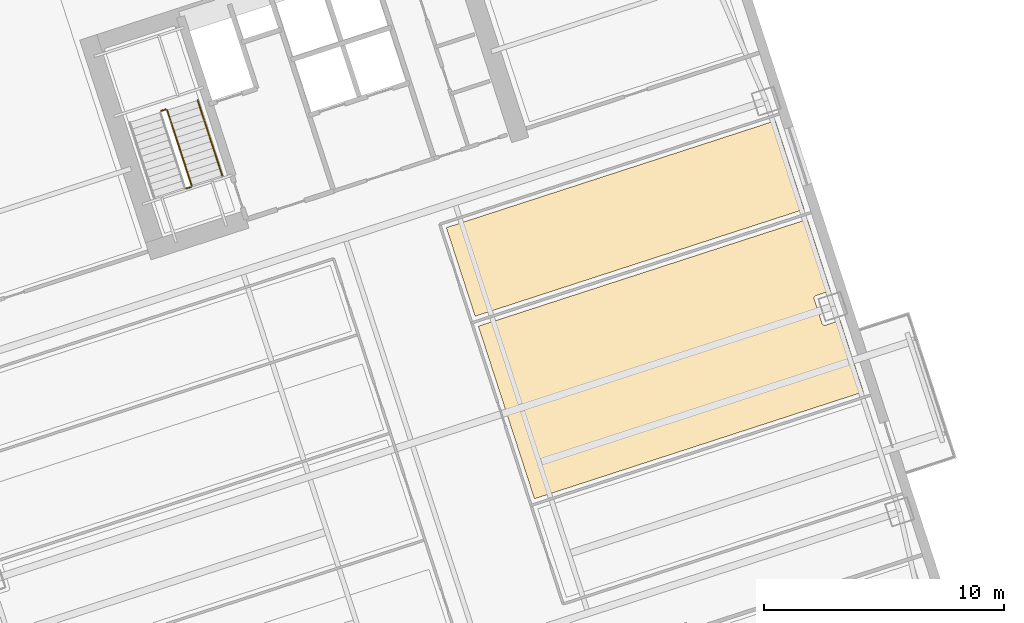
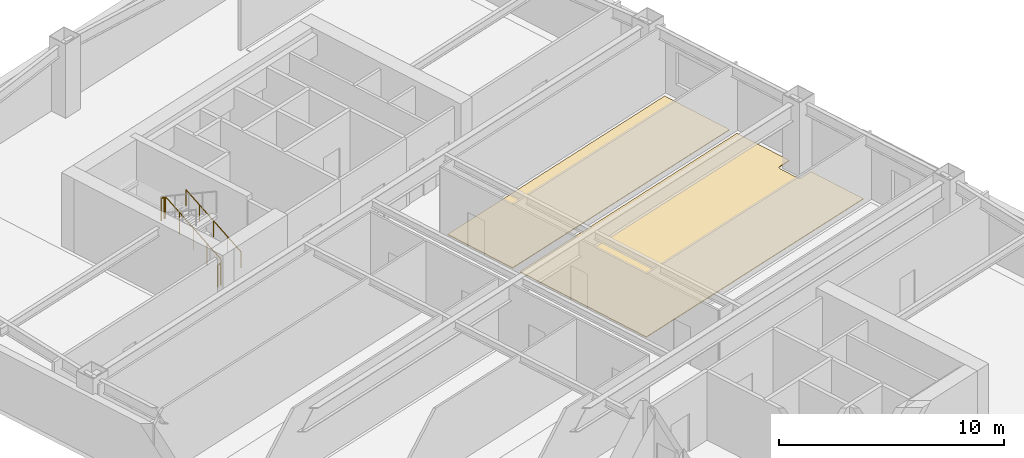
# One storey, part 17 of 18: 4 railings, 2 coverings.
"""IFC4 building model written with IfcOpenShell, lengths in metres."""

from ifc_helpers import new_model, si_unit, direction, frame, origin, origin_2d, place, context, subcontext, project, spatial, polyline, circle, outline, extrude, material, layer, layer_set, type_object, element, save


model = new_model("IFC4")

# Units and contexts
model_context = context("Model", 3, precision=1e-05, world=origin(), true_north=direction((0.0, 1.0)))
body_context = subcontext(model_context, "Body", "Model", "MODEL_VIEW")
ifc_project = project(units=[si_unit("LENGTHUNIT", "METRE"), si_unit("AREAUNIT", "SQUARE_METRE"), si_unit("VOLUMEUNIT", "CUBIC_METRE"), si_unit("PLANEANGLEUNIT", "RADIAN"), si_unit("MASSUNIT", "GRAM", prefix="KILO")], contexts=[model_context])

# Site, building, storey
site_placement = place(None, origin())
site = spatial("IfcSite", under=ifc_project, at=site_placement, CompositionType="ELEMENT")
building_placement = place(site_placement, origin())
building = spatial("IfcBuilding", under=site, at=building_placement, Name="Qiaolan Cultural Towers", CompositionType="ELEMENT")
storey_placement = place(building_placement, frame((0.0, 0.0, 38.0)))
storey = spatial("IfcBuildingStorey", under=building, at=storey_placement, Name="L08", CompositionType="ELEMENT", Elevation=38.0)

# Coverings
ifc_material_1 = material(Name="Honed Terrazzo & Raised Access Flooring", Category="concrete")
ifc_layer = layer(ifc_material_1, 0.0400390625)
ifc_layer_set = layer_set([ifc_layer], Name="Honed Terrazzo & Raised Access Flooring")
covering_type = type_object("IfcCoveringType", Name="COV-FLR-STONE", PredefinedType="FLOORING", material=ifc_layer_set)
covering_1_placement = place(storey_placement, origin())
element("IfcCovering", 1, at=covering_1_placement, inside=storey, type_object=covering_type, Name="L08 Design Archive Studio Finish Flooring", PredefinedType="FLOORING", context=body_context, shape_type="SweptSolid", body=[
    extrude(outline(polyline([(107.8525390625, 39.1171875), (107.243896484375, 38.91943359375), (107.232421875, 38.916259765625), (107.220703125, 38.914306640625), (107.208984375, 38.91357421875), (107.197265625, 38.913818359375), (107.185546875, 38.915283203125), (107.174072265625, 38.91796875), (107.1630859375, 38.921875), (107.15234375, 38.926513671875), (107.14208984375, 38.932373046875), (107.13232421875, 38.939208984375), (107.12353515625, 38.947021484375), (107.115478515625, 38.95556640625), (107.108154296875, 38.96484375), (107.10205078125, 38.974853515625), (107.0966796875, 38.9853515625), (107.092529296875, 38.996337890625), (106.76513671875, 40.004638671875), (106.761962890625, 40.015869140625), (106.760009765625, 40.027587890625), (106.75927734375, 40.039306640625), (106.759521484375, 40.051025390625), (106.760986328125, 40.062744140625), (106.763671875, 40.07421875), (106.767333984375, 40.08544921875), (106.772216796875, 40.09619140625), (106.778076171875, 40.1064453125), (106.784912109375, 40.115966796875), (106.792724609375, 40.124755859375), (106.80126953125, 40.1328125), (106.810546875, 40.14013671875), (106.820556640625, 40.146240234375), (106.8310546875, 40.151611328125), (106.842041015625, 40.15576171875), (107.45068359375, 40.353515625), (106.483642578125, 43.330322265625), (92.77392578125, 38.8759765625), (95.110107421875, 31.685791015625), (108.819580078125, 36.140380859375), (107.8525390625, 39.1171875)])), origin(), (0.0, 0.0, 1.0), 0.0400390625),
])
covering_2_placement = place(storey_placement, origin())
element("IfcCovering", 2, at=covering_2_placement, inside=storey, type_object=covering_type, Name="L08 Staff Dining Kitchen Finish Flooring", PredefinedType="FLOORING", context=body_context, shape_type="SweptSolid", body=[
    extrude(outline(polyline([(106.34765625, 43.748779296875), (105.148681640625, 47.43896484375), (91.439208984375, 42.984375), (92.63818359375, 39.29443359375), (106.34765625, 43.748779296875)])), origin(), (0.0, 0.0, 1.0), 0.0400390625),
])

# Railings
ifc_material_2 = material(Name="Galvanized Painted Steel Stair Guardrail", Category="steel")
railing_type_1 = type_object("IfcRailingType", Name="RL-STAIR-GRD", PredefinedType="GUARDRAIL", material=ifc_material_2)
railing_1_placement = place(storey_placement, frame((80.822021484375, 44.739501953125, 0.166748046875)))
element("IfcRailing", 3, at=railing_1_placement, inside=storey, type_object=railing_type_1, Name="L08 ST-E2 stair guard 1", PredefinedType="GUARDRAIL", context=body_context, shape_type="SweptSolid", body=[
    extrude(circle(Radius=0.02392578125, at=origin_2d()), frame((0.0, 0.0, 1.17578125), z_axis=(-0.270140520196, 0.831375721119, 0.485632072336), x_axis=(-0.951053095941, -0.309027520945, 0.0)), (0.0, 0.0, 1.0), 3.77490234375),
    extrude(circle(Radius=0.02099609375, at=origin_2d()), origin(), (0.0, 0.0, 1.0), 1.15185546875),
    extrude(circle(Radius=0.02099609375, at=origin_2d()), frame((-0.2548828125, 0.78466796875, 0.458251953125)), (0.0, 0.0, 1.0), 1.15185546875),
    extrude(circle(Radius=0.02099609375, at=origin_2d()), frame((-0.509765625, 1.5693359375, 0.91650390625)), (0.0, 0.0, 1.0), 1.15185546875),
    extrude(circle(Radius=0.02099609375, at=origin_2d()), frame((-0.764892578125, 2.353759765625, 1.375)), (0.0, 0.0, 1.0), 1.15185546875),
    extrude(circle(Radius=0.02099609375, at=origin_2d()), frame((-1.019775390625, 3.138427734375, 1.833251953125)), (0.0, 0.0, 1.0), 1.15185546875),
])
for number, where, name in (
    (4, (79.7392578125, 47.91015625, 2.0), "L08 ST-E2 stair guard 2"),
    (5, (80.7900390625, 44.676513671875, 0.0), "L08 ST-E2 stair guard 4"),
):
    element("IfcRailing", number, at=place(storey_placement, frame(where)), inside=storey, type_object=railing_type_1, Name=name, PredefinedType="GUARDRAIL", context=body_context, shape_type="SweptSolid", body=[
        extrude(circle(Radius=0.02392578125, at=origin_2d()), frame((0.0, 0.0, 1.17578125), z_axis=(-0.951096855055, -0.308892816854, 0.0), x_axis=(0.308892816854, -0.951096855055, 0.0)), (0.0, 0.0, 1.0), 0.199951171875),
        extrude(circle(Radius=0.02099609375, at=origin_2d()), origin(), (0.0, 0.0, 1.0), 1.15185546875),
        extrude(circle(Radius=0.02099609375, at=origin_2d()), frame((-0.190185546875, -0.061767578125, 0.0)), (0.0, 0.0, 1.0), 1.15185546875),
    ])
ifc_material_3 = material(Name="Stainless Steel S30408 Tubular Handrail", Category="steel")
railing_type_2 = type_object("IfcRailingType", Name="RL-STAIR-HR", PredefinedType="HANDRAIL", material=ifc_material_3)
railing_2_placement = place(storey_placement, frame((82.096435546875, 45.153564453125, 0.166748046875)))
element("IfcRailing", 6, at=railing_2_placement, inside=storey, type_object=railing_type_2, Name="L08 ST-E2 stair handrail 1", PredefinedType="HANDRAIL", context=body_context, shape_type="SweptSolid", body=[
    extrude(circle(Radius=0.02392578125, at=origin_2d()), frame((0.0, 0.0, 0.8759765625), z_axis=(-0.270140520196, 0.831375721119, 0.485632072336), x_axis=(-0.951053095941, -0.309027520945, 0.0)), (0.0, 0.0, 1.0), 3.77490234375),
    extrude(circle(Radius=0.02099609375, at=origin_2d()), origin(), (0.0, 0.0, 1.0), 0.851806640625),
    extrude(circle(Radius=0.02099609375, at=origin_2d()), frame((-0.2548828125, 0.78466796875, 0.458251953125)), (0.0, 0.0, 1.0), 0.851806640625),
    extrude(circle(Radius=0.02099609375, at=origin_2d()), frame((-0.509765625, 1.5693359375, 0.91650390625)), (0.0, 0.0, 1.0), 0.851806640625),
    extrude(circle(Radius=0.02099609375, at=origin_2d()), frame((-0.764892578125, 2.353759765625, 1.375)), (0.0, 0.0, 1.0), 0.851806640625),
    extrude(circle(Radius=0.02099609375, at=origin_2d()), frame((-1.019775390625, 3.138427734375, 1.833251953125)), (0.0, 0.0, 1.0), 0.851806640625),
])

save(model, "model.ifc")
